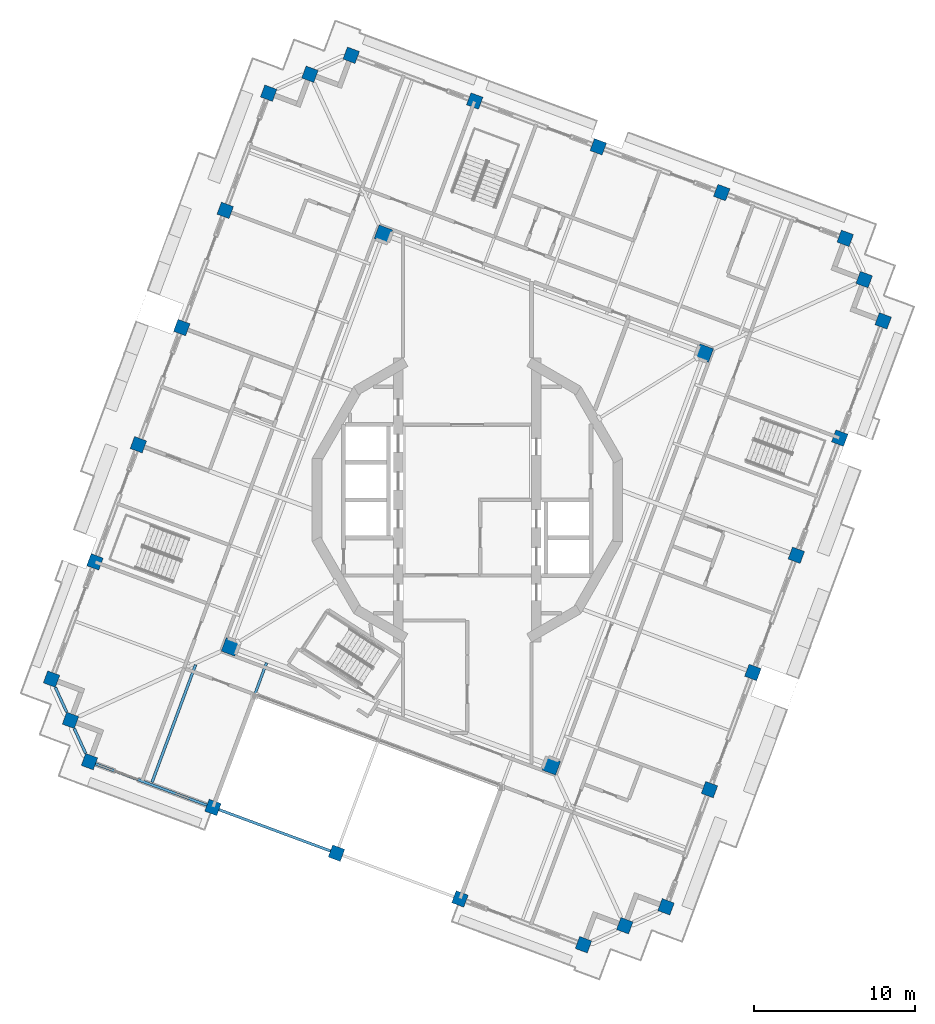
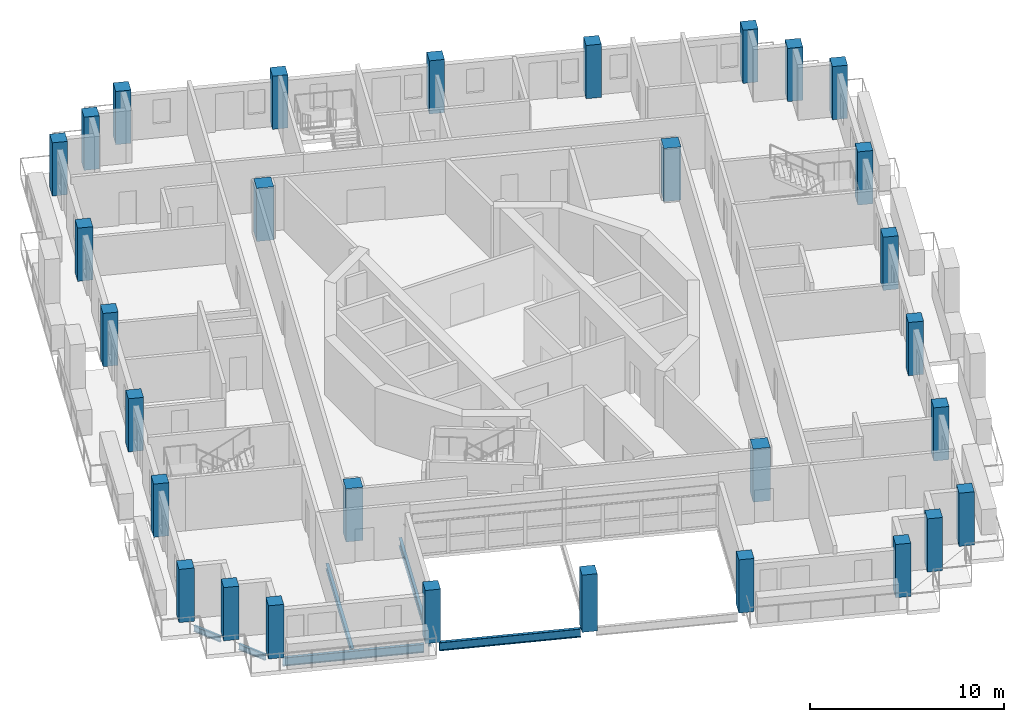
# One storey, part 1 of 19: 30 columns, 6 beams.
"""IFC4 building model written with IfcOpenShell, lengths in metres."""

from ifc_helpers import new_model, si_unit, direction, frame, origin, origin_2d, place, context, subcontext, project, spatial, rectangle, i_section, extrude, material, material_profile, profile_set, type_object, element, save


model = new_model("IFC4")

# Units and contexts
model_context = context("Model", 3, precision=1e-05, world=origin(), true_north=direction((0.0, 1.0)))
body_context = subcontext(model_context, "Body", "Model", "MODEL_VIEW")
ifc_project = project(units=[si_unit("LENGTHUNIT", "METRE"), si_unit("AREAUNIT", "SQUARE_METRE"), si_unit("VOLUMEUNIT", "CUBIC_METRE"), si_unit("PLANEANGLEUNIT", "RADIAN"), si_unit("MASSUNIT", "GRAM", prefix="KILO")], contexts=[model_context])

# Site, building, storey
site_placement = place(None, origin())
site = spatial("IfcSite", under=ifc_project, at=site_placement, CompositionType="ELEMENT")
building_placement = place(site_placement, origin())
building = spatial("IfcBuilding", under=site, at=building_placement, Name="Cantera Rosa Tower", CompositionType="ELEMENT")
storey_placement = place(building_placement, frame((0.0, 0.0, 320.5)))
storey = spatial("IfcBuildingStorey", under=building, at=storey_placement, Name="L71", CompositionType="ELEMENT", Elevation=320.5)

# Columns
ifc_material_1 = material(Name="Concrete C50/60", Category="concrete")
ifc_material_profile_1 = material_profile(ifc_material_1, rectangle(XDim=0.800048828125, YDim=0.800048828125, at=origin_2d()), Name="RC COLUMN RC800X800 C50/60")
ifc_profile_set_1 = profile_set([ifc_material_profile_1], Name="Concrete C50/60")
column_type_1 = type_object("IfcColumnType", Name="RC COLUMN RC800X800 C50/60", PredefinedType="COLUMN", material=ifc_profile_set_1)
for number, where, z_axis, x_axis, name in (
    (1, (23.526611328125, 16.2900390625, 0.0), (0.0, 0.0, 1.0), (0.347481234489, 0.937686936924, 0.0), "C-Z6-01 L71"),
    (2, (15.83740234375, 19.139404296875, 0.0), (0.0, 0.0, 1.0), (0.347481234489, 0.937686936924, 0.0), "C-Z6-02 L71"),
    (3, (8.1484375, 21.98876953125, 0.0), (0.0, 0.0, 1.0), (0.347481234489, 0.937686936924, 0.0), "C-Z6-03 L71"),
    (4, (0.45947265625, 24.838134765625, 0.0), (0.0, 0.0, 1.0), (0.347481234489, 0.937686936924, 0.0), "C-Z6-04 L71"),
    (5, (-7.229736328125, 27.6875, 0.0), (0.0, 0.0, 1.0), (0.347481234489, 0.937686936924, 0.0), "C-Z6-05 L71"),
    (6, (-9.800048828125, 26.507080078125, 0.0), (0.0, 0.0, 1.0), (0.347481234489, 0.937686936924, 0.0), "C-Z6-06 L71"),
    (7, (-12.370361328125, 25.32666015625, 0.0), (0.0, 0.0, 1.0), (0.347481234489, 0.937686936924, 0.0), "C-Z6-07 L71"),
    (8, (-15.07373046875, 18.031494140625, 0.0), (0.0, 0.0, 1.0), (0.347481234489, 0.937686936924, 0.0), "C-Z6-08 L71"),
    (9, (-17.777099609375, 10.736328125, 0.0), (0.0, 0.0, 1.0), (0.347481234489, 0.937686936924, 0.0), "C-Z6-09 L71"),
    (10, (-20.48046875, 3.44091796875, 0.0), (0.0, 0.0, 1.0), (0.347481234489, 0.937686936924, 0.0), "C-Z6-10 L71"),
    (11, (-23.183837890625, -3.854248046875, 0.0), (0.0, 0.0, 1.0), (0.347481234489, 0.937686936924, 0.0), "C-Z6-11 L71"),
    (12, (-25.88720703125, -11.1494140625, 0.0), (0.0, 0.0, 1.0), (0.347481234489, 0.937686936924, 0.0), "C-Z6-12 L71"),
    (13, (-24.70703125, -13.7197265625, 0.0), (0.0, 0.0, 1.0), (0.347481234489, 0.937686936924, 0.0), "C-Z6-13 L71"),
    (14, (-23.526611328125, -16.2900390625, 0.0), (0.0, 0.0, 1.0), (0.347481234489, 0.937686936924, 0.0), "C-Z6-14 L71"),
    (15, (-15.83740234375, -19.139404296875, 0.0), (0.0, 0.0, 1.0), (0.347481234489, 0.937686936924, 0.0), "C-Z6-15 L71"),
):
    element("IfcColumn", number, at=place(storey_placement, frame(where, z_axis=z_axis, x_axis=x_axis)), inside=storey, type_object=column_type_1, Name=name, PredefinedType="COLUMN", context=body_context, shape_type="SweptSolid", body=[
        extrude(rectangle(XDim=0.800048828125, YDim=0.800048828125, at=origin_2d()), origin(), (0.0, 0.0, 1.0), 3.35009765625),
    ])
column_placement = place(storey_placement, frame((-8.1484375, -21.98876953125, -0.25), z_axis=(0.0, 0.0, 1.0), x_axis=(0.347481234489, 0.937686936924, 0.0)))
element("IfcColumn", 16, at=column_placement, inside=storey, type_object=column_type_1, Name="C-Z6-16 L71", PredefinedType="COLUMN", context=body_context, shape_type="SweptSolid", body=[
    extrude(rectangle(XDim=0.800048828125, YDim=0.800048828125, at=origin_2d()), origin(), (0.0, 0.0, 1.0), 3.60009765625),
])
for number, where, z_axis, x_axis, name in (
    (17, (-0.45947265625, -24.838134765625, 0.0), (0.0, 0.0, 1.0), (0.347481234489, 0.937686936924, 0.0), "C-Z6-17 L71"),
    (18, (7.229736328125, -27.6875, 0.0), (0.0, 0.0, 1.0), (0.347481234489, 0.937686936924, 0.0), "C-Z6-18 L71"),
    (19, (9.800048828125, -26.507080078125, 0.0), (0.0, 0.0, 1.0), (0.347481234489, 0.937686936924, 0.0), "C-Z6-19 L71"),
    (20, (12.370361328125, -25.32666015625, 0.0), (0.0, 0.0, 1.0), (0.347481234489, 0.937686936924, 0.0), "C-Z6-20 L71"),
    (21, (15.07373046875, -18.031494140625, 0.0), (0.0, 0.0, 1.0), (0.347481234489, 0.937686936924, 0.0), "C-Z6-21 L71"),
    (22, (17.777099609375, -10.736328125, 0.0), (0.0, 0.0, 1.0), (0.347481234489, 0.937686936924, 0.0), "C-Z6-22 L71"),
    (23, (20.48046875, -3.44091796875, 0.0), (0.0, 0.0, 1.0), (0.347481234489, 0.937686936924, 0.0), "C-Z6-23 L71"),
    (24, (23.183837890625, 3.854248046875, 0.0), (0.0, 0.0, 1.0), (0.347481234489, 0.937686936924, 0.0), "C-Z6-24 L71"),
    (25, (25.88720703125, 11.1494140625, 0.0), (0.0, 0.0, 1.0), (0.347481234489, 0.937686936924, 0.0), "C-Z6-25 L71"),
    (26, (24.70703125, 13.7197265625, 0.0), (0.0, 0.0, 1.0), (0.347481234489, 0.937686936924, 0.0), "C-Z6-26 L71"),
):
    element("IfcColumn", number, at=place(storey_placement, frame(where, z_axis=z_axis, x_axis=x_axis)), inside=storey, type_object=column_type_1, Name=name, PredefinedType="COLUMN", context=body_context, shape_type="SweptSolid", body=[
        extrude(rectangle(XDim=0.800048828125, YDim=0.800048828125, at=origin_2d()), origin(), (0.0, 0.0, 1.0), 3.35009765625),
    ])
ifc_material_2 = material(Name="Concrete C50/60", Category="concrete")
ifc_material_profile_2 = material_profile(ifc_material_2, rectangle(XDim=0.89990234375, YDim=0.89990234375, at=origin_2d()), Name="RC RING COLUMN RC900X900 C50/60")
ifc_profile_set_2 = profile_set([ifc_material_profile_2], Name="Concrete C50/60")
column_type_2 = type_object("IfcColumnType", Name="RC RING COLUMN RC900X900 C50/60", PredefinedType="COLUMN", material=ifc_profile_set_2)
for number, where, z_axis, x_axis, name in (
    (27, (-5.225830078125, 16.546875, 0.0), (0.0, 0.0, 1.0), (0.347481234489, 0.937686936924, 0.0), "CI-Z6-1 L71"),
    (28, (-14.746826171875, -9.145751953125, 0.0), (0.0, 0.0, 1.0), (0.347481234489, 0.937686936924, 0.0), "CI-Z6-2 L71"),
    (29, (5.225830078125, -16.546875, 0.0), (0.0, 0.0, 1.0), (0.347481234489, 0.937686936924, 0.0), "CI-Z6-3 L71"),
    (30, (14.746826171875, 9.145751953125, 0.0), (0.0, 0.0, 1.0), (0.347481234489, 0.937686936924, 0.0), "CI-Z6-4 L71"),
):
    element("IfcColumn", number, at=place(storey_placement, frame(where, z_axis=z_axis, x_axis=x_axis)), inside=storey, type_object=column_type_2, Name=name, PredefinedType="COLUMN", context=body_context, shape_type="SweptSolid", body=[
        extrude(rectangle(XDim=0.89990234375, YDim=0.89990234375, at=origin_2d()), origin(), (0.0, 0.0, 1.0), 3.35009765625),
    ])

# Beams
ifc_material_3 = material(Name="Steel ASTM A992 (Fy 345 MPa)", Category="steel")
ifc_material_profile_3 = material_profile(ifc_material_3, i_section(OverallWidth=0.166015625, OverallDepth=0.528076171875, WebThickness=0.009765625, FlangeThickness=0.013671875, FilletRadius=0.0126953125, at=origin_2d()), Name="W530X74")
ifc_profile_set_3 = profile_set([ifc_material_profile_3], Name="Steel ASTM A992 (Fy 345 MPa)")
beam_type_1 = type_object("IfcBeamType", Name="STEEL BEAM W530X74", PredefinedType="BEAM", material=ifc_profile_set_3)
beam_1_placement = place(storey_placement, frame((-15.698486328125, -18.764404296875, -0.513916015625), z_axis=(0.347476838353, 0.937688566, 0.0), x_axis=(-0.937688566, 0.347476838353, 0.0)))
element("IfcBeam", 31, at=beam_1_placement, inside=storey, type_object=beam_type_1, Name="G-Z6-12 L71", PredefinedType="BEAM", context=body_context, shape_type="SweptSolid", body=[
    extrude(i_section(OverallWidth=0.166015625, OverallDepth=0.528076171875, WebThickness=0.009765625, FlangeThickness=0.013671875, FilletRadius=0.0126953125, at=origin_2d()), origin(), (0.0, 0.0, 1.0), 9.199951171875),
])
ifc_material_4 = material(Name="Steel ASTM A992 (Fy 345 MPa)", Category="steel")
ifc_material_profile_4 = material_profile(ifc_material_4, i_section(OverallWidth=0.1708984375, OverallDepth=0.35595703125, WebThickness=0.00732421875, FlangeThickness=0.01171875, FilletRadius=0.010009765625, at=origin_2d()), Name="W360X51")
ifc_profile_set_4 = profile_set([ifc_material_profile_4], Name="Steel ASTM A992 (Fy 345 MPa)")
beam_type_2 = type_object("IfcBeamType", Name="STEEL JOIST W360X51", PredefinedType="JOIST", material=ifc_profile_set_4)
beam_2_placement = place(storey_placement, frame((-19.6298828125, -17.573974609375, -0.427978515625), z_axis=(0.347491728417, 0.937683048093, 0.0), x_axis=(-0.937683048093, 0.347491728417, 0.0)))
element("IfcBeam", 32, at=beam_2_placement, inside=storey, type_object=beam_type_2, Name="B-Z6-15 L71", PredefinedType="JOIST", context=body_context, shape_type="SweptSolid", body=[
    extrude(i_section(OverallWidth=0.1708984375, OverallDepth=0.35595703125, WebThickness=0.00732421875, FlangeThickness=0.01171875, FilletRadius=0.010009765625, at=origin_2d()), origin(), (0.0, 0.0, 1.0), 7.800048828125),
])
ifc_material_5 = material(Name="Steel ASTM A992 (Fy 345 MPa)", Category="steel")
ifc_material_profile_5 = material_profile(ifc_material_5, i_section(OverallWidth=0.1708984375, OverallDepth=0.35595703125, WebThickness=0.00732421875, FlangeThickness=0.01171875, FilletRadius=0.010009765625, at=origin_2d()), Name="W360X51")
ifc_profile_set_5 = profile_set([ifc_material_profile_5], Name="Steel ASTM A992 (Fy 345 MPa)")
beam_type_3 = type_object("IfcBeamType", Name="STEEL SPANDREL BEAM W360X51", PredefinedType="SPANDREL", material=ifc_profile_set_5)
for number, where, z_axis, x_axis, name in (
    (33, (-25.651123046875, -11.66357421875, -0.427978515625), (0.417268968709, -0.908783036677, 0.0), (0.908783036677, 0.417268968709, 0.0), "EB-Z6-12 L71"),
    (34, (-24.470947265625, -14.23388671875, -0.427978515625), (0.417387791404, -0.908728469669, 0.0), (0.908728469669, 0.417387791404, 0.0), "EB-Z6-13 L71"),
):
    element("IfcBeam", number, at=place(storey_placement, frame(where, z_axis=z_axis, x_axis=x_axis)), inside=storey, type_object=beam_type_3, Name=name, PredefinedType="SPANDREL", context=body_context, shape_type="SweptSolid", body=[
        extrude(i_section(OverallWidth=0.1708984375, OverallDepth=0.35595703125, WebThickness=0.00732421875, FlangeThickness=0.01171875, FilletRadius=0.010009765625, at=origin_2d()), origin(), (0.0, 0.0, 1.0), 1.69677734375),
    ])
ifc_material_6 = material(Name="Steel ASTM A992 (Fy 345 MPa)", Category="steel")
ifc_material_profile_6 = material_profile(ifc_material_6, i_section(OverallWidth=0.166015625, OverallDepth=0.528076171875, WebThickness=0.009765625, FlangeThickness=0.013671875, FilletRadius=0.0126953125, at=origin_2d()), Name="W530X74")
ifc_profile_set_6 = profile_set([ifc_material_profile_6], Name="Steel ASTM A992 (Fy 345 MPa)")
beam_type_4 = type_object("IfcBeamType", Name="STEEL SPANDREL BEAM W530X74", PredefinedType="SPANDREL", material=ifc_profile_set_6)
beam_3_placement = place(storey_placement, frame((-23.1513671875, -16.428955078125, -0.513916015625), z_axis=(0.937676706507, -0.347508840281, 0.0), x_axis=(0.347508840281, 0.937676706507, 0.0)))
element("IfcBeam", 35, at=beam_3_placement, inside=storey, type_object=beam_type_4, Name="EB-Z6-14 L71", PredefinedType="SPANDREL", context=body_context, shape_type="SweptSolid", body=[
    extrude(i_section(OverallWidth=0.166015625, OverallDepth=0.528076171875, WebThickness=0.009765625, FlangeThickness=0.013671875, FilletRadius=0.0126953125, at=origin_2d()), origin(), (0.0, 0.0, 1.0), 7.39990234375),
])
beam_4_placement = place(storey_placement, frame((-15.46240234375, -19.2783203125, -0.513916015625), z_axis=(0.937680690562, -0.34749808999, 0.0), x_axis=(0.34749808999, 0.937680690562, 0.0)))
element("IfcBeam", 36, at=beam_4_placement, inside=storey, type_object=beam_type_4, Name="EB-Z6-15 L71", PredefinedType="SPANDREL", context=body_context, shape_type="SweptSolid", body=[
    extrude(i_section(OverallWidth=0.166015625, OverallDepth=0.528076171875, WebThickness=0.009765625, FlangeThickness=0.013671875, FilletRadius=0.0126953125, at=origin_2d()), origin(), (0.0, 0.0, 1.0), 7.400146484375),
])

save(model, "model.ifc")
